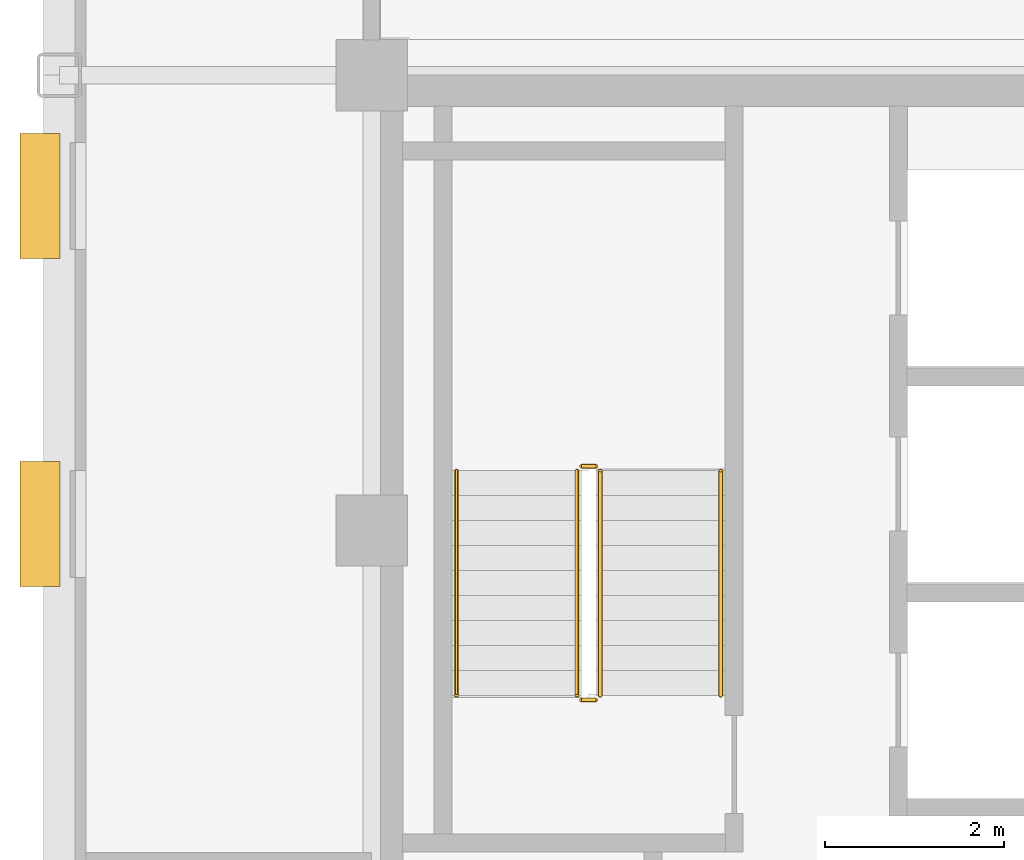
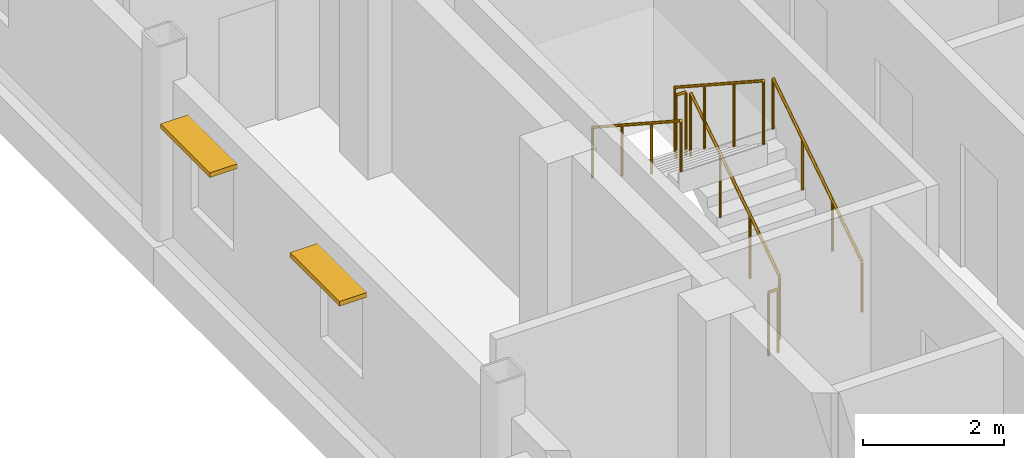
# One storey, part 11 of 13: 6 railings, 2 shading devices.
"""IFC4 building model written with IfcOpenShell, lengths in metres."""

import ifcopenshell
import ifcopenshell.guid

model = None  # the IFC model being written
_history = None  # IfcOwnerHistory: only IFC2X3 demands one
_inside = {}  # id of a spatial element -> (the spatial element, [elements in it])
_under = {}  # id of a project, library or spatial element -> (it, [spatial elements below it])
_declared = {}  # id of a project -> (the project, [libraries it declares])
_typed = {}  # id of a type object -> (the type object, [elements of that type])
_made_of = {}  # id of a material, layer set ... -> (it, [elements and type objects made of it])


def new_model(schema):
    """Start an empty IFC model of exactly this schema.

    Asked for "IFC4X3", IfcOpenShell would pick the latest addendum, in which some entities
    have other attributes; the version numbers below select the first issue.
    IFC2X3 requires an IfcOwnerHistory on every rooted entity: one is made here for all.
    """
    global model, _history
    if schema == "IFC4X3":
        model = ifcopenshell.file(schema_version=(4, 3, 0, 0))
    else:
        model = ifcopenshell.file(schema=schema)
    _inside.clear()
    _under.clear()
    _declared.clear()
    _typed.clear()
    _made_of.clear()
    _history = None
    if model.schema == "IFC2X3":
        org = make("IfcOrganization", Name="unknown")
        user = make(
            "IfcPersonAndOrganization",
            ThePerson=make("IfcPerson", FamilyName="unknown"),
            TheOrganization=org,
        )
        app = make(
            "IfcApplication",
            ApplicationDeveloper=org,
            Version="unknown",
            ApplicationFullName="unknown",
            ApplicationIdentifier="unknown",
        )
        _history = make(
            "IfcOwnerHistory",
            OwningUser=user,
            OwningApplication=app,
            ChangeAction="ADDED",
            CreationDate=0,
        )
    return model


def make(cls, **values):
    """One entity of the class cls with the attributes given. An attribute that is None is left unset."""
    return model.create_entity(
        cls, **{name: value for name, value in values.items() if value is not None}
    )


def rooted(cls, **values):
    """An entity with a GlobalId (a new one), such as an element, a storey or a relation."""
    return make(cls, GlobalId=ifcopenshell.guid.new(), OwnerHistory=_history, **values)


def si_unit(unit_type, name, prefix=None):
    """IfcSIUnit, for example si_unit("LENGTHUNIT", "METRE", prefix="MILLI")."""
    return make("IfcSIUnit", UnitType=unit_type, Prefix=prefix, Name=name)


def assignment(units):
    """IfcUnitAssignment: the units of a project."""
    return None if units is None else make("IfcUnitAssignment", Units=units)


def point(xyz):
    """IfcCartesianPoint."""
    return None if xyz is None else make("IfcCartesianPoint", Coordinates=xyz)


def direction(xyz):
    """IfcDirection."""
    return None if xyz is None else make("IfcDirection", DirectionRatios=xyz)


def frame(location, z_axis=None, x_axis=None):
    """IfcAxis2Placement3D, a coordinate frame: its origin and axes. An axis left out is left unset."""
    return make(
        "IfcAxis2Placement3D",
        Location=point(location),
        Axis=direction(z_axis),
        RefDirection=direction(x_axis),
    )


def frame_2d(location, x_axis=None):
    """IfcAxis2Placement2D, a coordinate frame in the plane: its origin and x axis."""
    return make(
        "IfcAxis2Placement2D", Location=point(location), RefDirection=direction(x_axis)
    )


def origin():
    """The frame at (0, 0, 0) with its axes left unset."""
    return frame((0.0, 0.0, 0.0))


def origin_2d():
    """The frame at (0, 0) in the plane with its x axis left unset."""
    return frame_2d((0.0, 0.0))


def place(relative_to, where):
    """IfcLocalPlacement: puts the frame where relative to a parent placement (None: the world)."""
    return make(
        "IfcLocalPlacement", PlacementRelTo=relative_to, RelativePlacement=where
    )


def context(
    kind, dimensions, precision=None, world=None, true_north=None, identifier=None
):
    """IfcGeometricRepresentationContext, for example the 3D "Model" context."""
    return make(
        "IfcGeometricRepresentationContext",
        ContextIdentifier=identifier,
        ContextType=kind,
        CoordinateSpaceDimension=dimensions,
        Precision=precision,
        WorldCoordinateSystem=world,
        TrueNorth=true_north,
    )


def subcontext(parent, identifier, kind, view, scale=None):
    """IfcGeometricRepresentationSubContext, for example "Body" below "Model"."""
    return make(
        "IfcGeometricRepresentationSubContext",
        ContextIdentifier=identifier,
        ContextType=kind,
        ParentContext=parent,
        TargetScale=scale,
        TargetView=view,
    )


def project(units=None, contexts=None):
    """IfcProject with its units and contexts."""
    return rooted(
        "IfcProject",
        Name="project",
        RepresentationContexts=contexts,
        UnitsInContext=assignment(units),
    )


def spatial(cls, under=None, at=None, **own):
    """A site, building, storey or space (cls), placed at a placement, below another one or the project."""
    s = rooted(cls, ObjectPlacement=at, **own)
    if under is not None:
        _under.setdefault(under.id(), (under, []))[1].append(s)
    return s


def profile(cls, at=None, kind="AREA", **sizes):
    """A parametric profile (cls). Its sizes go by their IFC names, for example OverallWidth=200.0."""
    return make(cls, ProfileType=kind, Position=at, **sizes)


def rectangle(**sizes):
    """IfcRectangleProfileDef."""
    return profile("IfcRectangleProfileDef", **sizes)


def circle(**sizes):
    """IfcCircleProfileDef."""
    return profile("IfcCircleProfileDef", **sizes)


def extrude(swept, where, along, depth):
    """IfcExtrudedAreaSolid: the profile swept, set in the frame where, extruded along a direction by depth."""
    return make(
        "IfcExtrudedAreaSolid",
        SweptArea=swept,
        Position=where,
        ExtrudedDirection=direction(along),
        Depth=depth,
    )


def shape(context_of_items, identifier, shape_type, items):
    """IfcShapeRepresentation: the items that make up one representation, for example the "Body"."""
    return make(
        "IfcShapeRepresentation",
        ContextOfItems=context_of_items,
        RepresentationIdentifier=identifier,
        RepresentationType=shape_type,
        Items=items,
    )


def source(mapping_origin, context_of_items, identifier, shape_type, items):
    """IfcRepresentationMap: a shape defined once, which mapped items show again and again."""
    return make(
        "IfcRepresentationMap",
        MappingOrigin=mapping_origin,
        MappedRepresentation=shape(context_of_items, identifier, shape_type, items),
    )


def transform(
    local_origin,
    x_axis=None,
    y_axis=None,
    z_axis=None,
    scale=None,
    scale2=None,
    scale3=None,
    uniform=True,
):
    """IfcCartesianTransformationOperator3D, or its non-uniform kind. x_axis, y_axis, z_axis: its Axis1, 2, 3."""
    if uniform:
        return make(
            "IfcCartesianTransformationOperator3D",
            Axis1=direction(x_axis),
            Axis2=direction(y_axis),
            LocalOrigin=point(local_origin),
            Scale=scale,
            Axis3=direction(z_axis),
        )
    return make(
        "IfcCartesianTransformationOperator3DnonUniform",
        Axis1=direction(x_axis),
        Axis2=direction(y_axis),
        LocalOrigin=point(local_origin),
        Scale=scale,
        Axis3=direction(z_axis),
        Scale2=scale2,
        Scale3=scale3,
    )


def mapped(mapping_source, mapping_target):
    """IfcMappedItem: shows the shape of a source again, moved by a transform."""
    return make(
        "IfcMappedItem", MappingSource=mapping_source, MappingTarget=mapping_target
    )


def material(Name=None, Category=None):
    """IfcMaterial."""
    return make("IfcMaterial", Name=Name, Category=Category)


def made_of(thing, what):
    """Note that an element or type object is made of a material, layer set ...; save() writes the relation."""
    if what is not None:
        _made_of.setdefault(what.id(), (what, []))[1].append(thing)
    return thing


def type_object(cls, material=None, **own):
    """A type object (cls), such as IfcWallType, which elements share."""
    return made_of(rooted(cls, **own), material)


def type_shapes(of_type, sources):
    """Give a type object the sources (RepresentationMaps) that its elements show as mapped items."""
    of_type.RepresentationMaps = sources


def element(
    cls,
    number,
    at=None,
    inside=None,
    cuts=None,
    type_object=None,
    material=None,
    context=None,
    identifier="Body",
    shape_type=None,
    held_by="IfcProductDefinitionShape",
    body=None,
    shapes=None,
    **own,
):
    """One element of the class cls, such as IfcWall. Its Tag is "e" and its number.

    at: its placement. inside: the storey or other place that contains it. cuts: it is an
    opening in that element (IfcRelVoidsElement). A single representation is given by context,
    identifier, shape_type and body (its items); several are given by shapes. held_by: the class
    of the entity that holds the representations. save() writes the other relations.
    """
    e = rooted(cls, Tag="e%d" % number, ObjectPlacement=at, **own)
    if body is not None:
        shapes = [shape(context, identifier, shape_type, body)]
    if shapes is not None:
        e.Representation = make(held_by, Representations=shapes)
    if inside is not None:
        _inside.setdefault(inside.id(), (inside, []))[1].append(e)
    if cuts is not None:
        rooted(
            "IfcRelVoidsElement", RelatingBuildingElement=cuts, RelatedOpeningElement=e
        )
    if type_object is not None:
        _typed.setdefault(type_object.id(), (type_object, []))[1].append(e)
    return made_of(e, material)


def aggregate(whole, parts):
    """IfcRelAggregates: a whole, such as a stair, and the parts it consists of."""
    return rooted("IfcRelAggregates", RelatingObject=whole, RelatedObjects=parts)


def save(model, path):
    """Write the relations noted so far, then the file.

    IfcRelAggregates (storeys below a building ...), IfcRelContainedInSpatialStructure (elements
    in a storey), IfcRelDefinesByType, IfcRelAssociatesMaterial and IfcRelDeclares: one each for
    every whole, place, type object, material and project.
    """
    for whole, parts in _under.values():
        aggregate(whole, parts)
    for where, things in _inside.values():
        rooted(
            "IfcRelContainedInSpatialStructure",
            RelatedElements=things,
            RelatingStructure=where,
        )
    for kind, things in _typed.values():
        rooted("IfcRelDefinesByType", RelatedObjects=things, RelatingType=kind)
    for what, things in _made_of.values():
        rooted("IfcRelAssociatesMaterial", RelatedObjects=things, RelatingMaterial=what)
    for by, libraries in _declared.values():
        rooted("IfcRelDeclares", RelatingContext=by, RelatedDefinitions=libraries)
    model.write(path)


model = new_model("IFC4")

# Units and contexts
model_context = context("Model", 3, precision=1e-05, world=origin(), true_north=direction((0.0, 1.0)))
body_context = subcontext(model_context, "Body", "Model", "MODEL_VIEW")
ifc_project = project(units=[si_unit("LENGTHUNIT", "METRE"), si_unit("AREAUNIT", "SQUARE_METRE"), si_unit("VOLUMEUNIT", "CUBIC_METRE"), si_unit("PLANEANGLEUNIT", "RADIAN"), si_unit("MASSUNIT", "GRAM", prefix="KILO")], contexts=[model_context])

# Site, building, storey
site_placement = place(None, origin())
site = spatial("IfcSite", under=ifc_project, at=site_placement, CompositionType="ELEMENT")
building_placement = place(site_placement, origin())
building = spatial("IfcBuilding", under=site, at=building_placement, Name="Nuvemarco Arch Tower", CompositionType="ELEMENT")
storey_placement = place(building_placement, frame((0.0, 0.0, 279.85009765625)))
storey = spatial("IfcBuildingStorey", under=building, at=storey_placement, Name="L74", CompositionType="ELEMENT", Elevation=279.85009765625)

# Railings
ifc_material_1 = material(Name="Brushed stainless steel handrail", Category="steel")
railing_type_1 = type_object("IfcRailingType", Name="RL-HANDRAIL-900", PredefinedType="HANDRAIL", material=ifc_material_1)
railing_1_placement = place(storey_placement, frame((-13.590087890625, 2.64990234375, 0.182373046875)))
element("IfcRailing", 1, at=railing_1_placement, inside=storey, type_object=railing_type_1, Name="L74 ST-1 stair handrail 1", PredefinedType="HANDRAIL", context=body_context, shape_type="SweptSolid", body=[
    extrude(circle(Radius=0.02392578125, at=origin_2d()), frame((0.0, 0.0, 0.8759765625), z_axis=(0.0, 0.837749427056, 0.546054848405), x_axis=(-1.0, 0.0, 0.0)), (0.0, 0.0, 1.0), 3.008056640625),
    extrude(circle(Radius=0.02099609375, at=origin_2d()), origin(), (0.0, 0.0, 1.0), 0.851806640625),
    extrude(circle(Radius=0.02099609375, at=origin_2d()), frame((0.0, 0.840087890625, 0.547607421875)), (0.0, 0.0, 1.0), 0.851806640625),
    extrude(circle(Radius=0.02099609375, at=origin_2d()), frame((0.0, 1.679931640625, 1.094970703125)), (0.0, 0.0, 1.0), 0.851806640625),
    extrude(circle(Radius=0.02099609375, at=origin_2d()), frame((0.0, 2.52001953125, 1.642578125)), (0.0, 0.0, 1.0), 0.851806640625),
])
railing_2_placement = place(storey_placement, frame((-16.550048828125, 5.169921875, 2.00732421875)))
element("IfcRailing", 2, at=railing_2_placement, inside=storey, type_object=railing_type_1, Name="L74 ST-1 stair handrail 2", PredefinedType="HANDRAIL", context=body_context, shape_type="SweptSolid", body=[
    extrude(circle(Radius=0.02392578125, at=origin_2d()), frame((0.0, 0.0, 0.8759765625), z_axis=(0.0, -0.837749427056, 0.546054848405), x_axis=(1.0, 0.0, 0.0)), (0.0, 0.0, 1.0), 3.008056640625),
    extrude(circle(Radius=0.02099609375, at=origin_2d()), origin(), (0.0, 0.0, 1.0), 0.851806640625),
    extrude(circle(Radius=0.02099609375, at=origin_2d()), frame((0.0, -0.840087890625, 0.547607421875)), (0.0, 0.0, 1.0), 0.851806640625),
    extrude(circle(Radius=0.02099609375, at=origin_2d()), frame((0.0, -1.679931640625, 1.094970703125)), (0.0, 0.0, 1.0), 0.851806640625),
    extrude(circle(Radius=0.02099609375, at=origin_2d()), frame((0.0, -2.52001953125, 1.642578125)), (0.0, 0.0, 1.0), 0.851806640625),
])
ifc_material_2 = material(Name="Painted balustrade steel S355", Category="steel")
railing_type_2 = type_object("IfcRailingType", Name="RL-STAIR-GUARD", PredefinedType="GUARDRAIL", material=ifc_material_2)
railing_3_placement = place(storey_placement, frame((-14.93994140625, 2.64990234375, 0.182373046875)))
element("IfcRailing", 3, at=railing_3_placement, inside=storey, type_object=railing_type_2, Name="L74 ST-1 stair guard 1", PredefinedType="GUARDRAIL", context=body_context, shape_type="SweptSolid", body=[
    extrude(circle(Radius=0.02392578125, at=origin_2d()), frame((0.0, 0.0, 1.09619140625), z_axis=(0.0, 0.837749427056, 0.546054848405), x_axis=(-1.0, 0.0, 0.0)), (0.0, 0.0, 1.0), 3.008056640625),
    extrude(circle(Radius=0.02099609375, at=origin_2d()), origin(), (0.0, 0.0, 1.0), 1.072021484375),
    extrude(circle(Radius=0.02099609375, at=origin_2d()), frame((0.0, 0.840087890625, 0.547607421875)), (0.0, 0.0, 1.0), 1.072021484375),
    extrude(circle(Radius=0.02099609375, at=origin_2d()), frame((0.0, 1.679931640625, 1.094970703125)), (0.0, 0.0, 1.0), 1.072021484375),
    extrude(circle(Radius=0.02099609375, at=origin_2d()), frame((0.0, 2.52001953125, 1.642578125)), (0.0, 0.0, 1.0), 1.072021484375),
])
railing_4_placement = place(storey_placement, frame((-14.989990234375, 5.219970703125, 1.824951171875)))
element("IfcRailing", 4, at=railing_4_placement, inside=storey, type_object=railing_type_2, Name="L74 ST-1 stair guard 2", PredefinedType="GUARDRAIL", context=body_context, shape_type="SweptSolid", body=[
    extrude(circle(Radius=0.02392578125, at=origin_2d()), frame((0.0, 0.0, 1.09619140625), z_axis=(-1.0, 0.0, 0.0), x_axis=(0.0, -1.0, 0.0)), (0.0, 0.0, 1.0), 0.159912109375),
    extrude(circle(Radius=0.02099609375, at=origin_2d()), origin(), (0.0, 0.0, 1.0), 1.072021484375),
    extrude(circle(Radius=0.02099609375, at=origin_2d()), frame((-0.159912109375, 0.0, 0.0)), (0.0, 0.0, 1.0), 1.072021484375),
])
railing_5_placement = place(storey_placement, frame((-15.199951171875, 5.169921875, 2.00732421875)))
element("IfcRailing", 5, at=railing_5_placement, inside=storey, type_object=railing_type_2, Name="L74 ST-1 stair guard 3", PredefinedType="GUARDRAIL", context=body_context, shape_type="SweptSolid", body=[
    extrude(circle(Radius=0.02392578125, at=origin_2d()), frame((0.0, 0.0, 1.09619140625), z_axis=(0.0, -0.837749427056, 0.546054848405), x_axis=(1.0, 0.0, 0.0)), (0.0, 0.0, 1.0), 3.008056640625),
    extrude(circle(Radius=0.02099609375, at=origin_2d()), origin(), (0.0, 0.0, 1.0), 1.072021484375),
    extrude(circle(Radius=0.02099609375, at=origin_2d()), frame((0.0, -0.840087890625, 0.547607421875)), (0.0, 0.0, 1.0), 1.072021484375),
    extrude(circle(Radius=0.02099609375, at=origin_2d()), frame((0.0, -1.679931640625, 1.094970703125)), (0.0, 0.0, 1.0), 1.072021484375),
    extrude(circle(Radius=0.02099609375, at=origin_2d()), frame((0.0, -2.52001953125, 1.642578125)), (0.0, 0.0, 1.0), 1.072021484375),
])
railing_6_placement = place(storey_placement, frame((-14.989990234375, 2.60009765625, 0.0)))
element("IfcRailing", 6, at=railing_6_placement, inside=storey, type_object=railing_type_2, Name="L74 ST-1 stair guard 4", PredefinedType="GUARDRAIL", context=body_context, shape_type="SweptSolid", body=[
    extrude(circle(Radius=0.02392578125, at=origin_2d()), frame((0.0, 0.0, 1.09619140625), z_axis=(-1.0, 0.0, 0.0), x_axis=(0.0, -1.0, 0.0)), (0.0, 0.0, 1.0), 0.159912109375),
    extrude(circle(Radius=0.02099609375, at=origin_2d()), origin(), (0.0, 0.0, 1.0), 1.072021484375),
    extrude(circle(Radius=0.02099609375, at=origin_2d()), frame((-0.159912109375, 0.0, 0.0)), (0.0, 0.0, 1.0), 1.072021484375),
])

# Shading devices
ifc_material_3 = material(Name="Anodised aluminium 6063-T6", Category="aluminium")
shading_device_type = type_object("IfcShadingDeviceType", Name="SHD-BRISE-NARROW", PredefinedType="USERDEFINED", material=ifc_material_3)
shared_shape = source(origin(), body_context, "Body", "SweptSolid", [
    extrude(rectangle(XDim=1.39990234375, YDim=0.449951171875, at=origin_2d()), origin(), (0.0, 0.0, 1.0), 0.080078125),
])
type_shapes(shading_device_type, [shared_shape])
for number, where, z_axis, x_axis, name in (
    (7, (-21.215087890625, 4.572509765625, 2.284912109375), (0.0, 0.0, 1.0), (0.0, 1.0, 0.0), "L74 horizontal brise-soleil sunshade"),
    (8, (-21.215087890625, 8.2451171875, 2.284912109375), (0.0, 0.0, 1.0), (0.0, 1.0, 0.0), "L74 horizontal brise-soleil sunshade"),
):
    element("IfcShadingDevice", number, at=place(storey_placement, frame(where, z_axis=z_axis, x_axis=x_axis)), inside=storey, type_object=shading_device_type, Name=name, ObjectType="SUNSHADE", PredefinedType="USERDEFINED", context=body_context, shape_type="MappedRepresentation", body=[
        mapped(shared_shape, transform((0.0, 0.0, 0.0), scale=1.0)),
    ])

save(model, "model.ifc")
